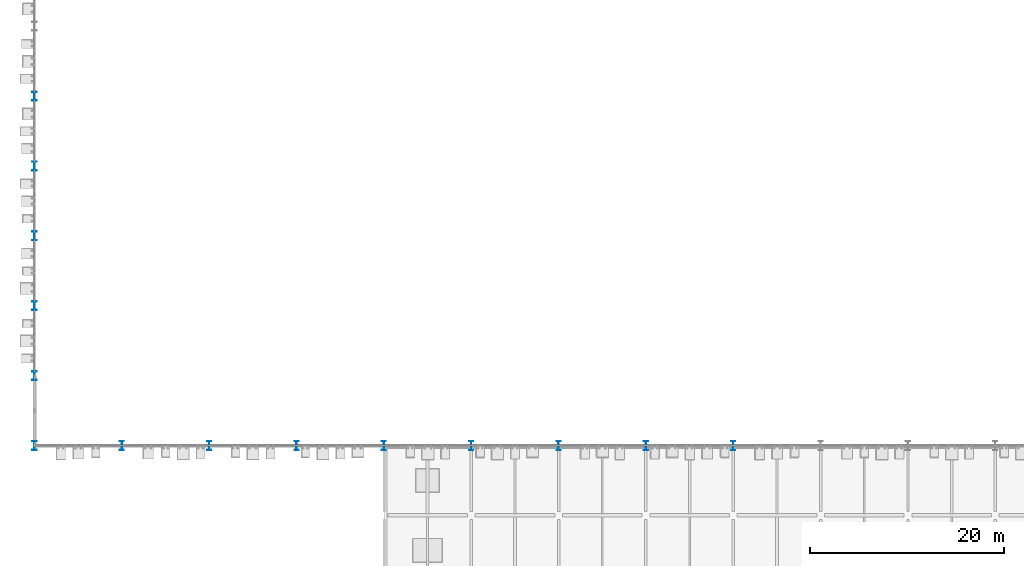
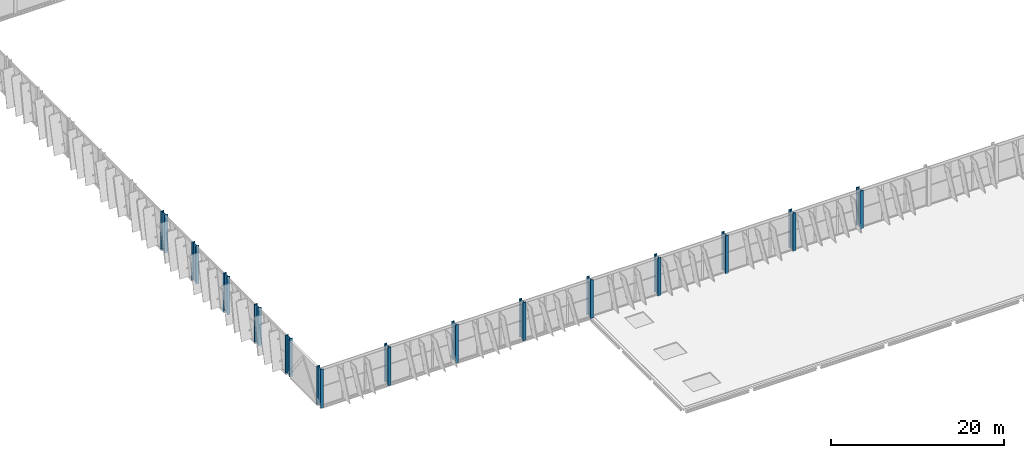
# One storey, part 1 of 189: 14 columns.
"""IFC4 building model written with IfcOpenShell, lengths in metres."""

import ifcopenshell
import ifcopenshell.guid

model = None  # the IFC model being written
_history = None  # IfcOwnerHistory: only IFC2X3 demands one
_inside = {}  # id of a spatial element -> (the spatial element, [elements in it])
_under = {}  # id of a project, library or spatial element -> (it, [spatial elements below it])
_declared = {}  # id of a project -> (the project, [libraries it declares])
_typed = {}  # id of a type object -> (the type object, [elements of that type])
_made_of = {}  # id of a material, layer set ... -> (it, [elements and type objects made of it])


def new_model(schema):
    """Start an empty IFC model of exactly this schema.

    Asked for "IFC4X3", IfcOpenShell would pick the latest addendum, in which some entities
    have other attributes; the version numbers below select the first issue.
    IFC2X3 requires an IfcOwnerHistory on every rooted entity: one is made here for all.
    """
    global model, _history
    if schema == "IFC4X3":
        model = ifcopenshell.file(schema_version=(4, 3, 0, 0))
    else:
        model = ifcopenshell.file(schema=schema)
    _inside.clear()
    _under.clear()
    _declared.clear()
    _typed.clear()
    _made_of.clear()
    _history = None
    if model.schema == "IFC2X3":
        org = make("IfcOrganization", Name="unknown")
        user = make(
            "IfcPersonAndOrganization",
            ThePerson=make("IfcPerson", FamilyName="unknown"),
            TheOrganization=org,
        )
        app = make(
            "IfcApplication",
            ApplicationDeveloper=org,
            Version="unknown",
            ApplicationFullName="unknown",
            ApplicationIdentifier="unknown",
        )
        _history = make(
            "IfcOwnerHistory",
            OwningUser=user,
            OwningApplication=app,
            ChangeAction="ADDED",
            CreationDate=0,
        )
    return model


def make(cls, **values):
    """One entity of the class cls with the attributes given. An attribute that is None is left unset."""
    return model.create_entity(
        cls, **{name: value for name, value in values.items() if value is not None}
    )


def rooted(cls, **values):
    """An entity with a GlobalId (a new one), such as an element, a storey or a relation."""
    return make(cls, GlobalId=ifcopenshell.guid.new(), OwnerHistory=_history, **values)


def si_unit(unit_type, name, prefix=None):
    """IfcSIUnit, for example si_unit("LENGTHUNIT", "METRE", prefix="MILLI")."""
    return make("IfcSIUnit", UnitType=unit_type, Prefix=prefix, Name=name)


def assignment(units):
    """IfcUnitAssignment: the units of a project."""
    return None if units is None else make("IfcUnitAssignment", Units=units)


def point(xyz):
    """IfcCartesianPoint."""
    return None if xyz is None else make("IfcCartesianPoint", Coordinates=xyz)


def direction(xyz):
    """IfcDirection."""
    return None if xyz is None else make("IfcDirection", DirectionRatios=xyz)


def frame(location, z_axis=None, x_axis=None):
    """IfcAxis2Placement3D, a coordinate frame: its origin and axes. An axis left out is left unset."""
    return make(
        "IfcAxis2Placement3D",
        Location=point(location),
        Axis=direction(z_axis),
        RefDirection=direction(x_axis),
    )


def frame_2d(location, x_axis=None):
    """IfcAxis2Placement2D, a coordinate frame in the plane: its origin and x axis."""
    return make(
        "IfcAxis2Placement2D", Location=point(location), RefDirection=direction(x_axis)
    )


def origin():
    """The frame at (0, 0, 0) with its axes left unset."""
    return frame((0.0, 0.0, 0.0))


def origin_2d():
    """The frame at (0, 0) in the plane with its x axis left unset."""
    return frame_2d((0.0, 0.0))


def place(relative_to, where):
    """IfcLocalPlacement: puts the frame where relative to a parent placement (None: the world)."""
    return make(
        "IfcLocalPlacement", PlacementRelTo=relative_to, RelativePlacement=where
    )


def context(
    kind, dimensions, precision=None, world=None, true_north=None, identifier=None
):
    """IfcGeometricRepresentationContext, for example the 3D "Model" context."""
    return make(
        "IfcGeometricRepresentationContext",
        ContextIdentifier=identifier,
        ContextType=kind,
        CoordinateSpaceDimension=dimensions,
        Precision=precision,
        WorldCoordinateSystem=world,
        TrueNorth=true_north,
    )


def subcontext(parent, identifier, kind, view, scale=None):
    """IfcGeometricRepresentationSubContext, for example "Body" below "Model"."""
    return make(
        "IfcGeometricRepresentationSubContext",
        ContextIdentifier=identifier,
        ContextType=kind,
        ParentContext=parent,
        TargetScale=scale,
        TargetView=view,
    )


def project(units=None, contexts=None):
    """IfcProject with its units and contexts."""
    return rooted(
        "IfcProject",
        Name="project",
        RepresentationContexts=contexts,
        UnitsInContext=assignment(units),
    )


def spatial(cls, under=None, at=None, **own):
    """A site, building, storey or space (cls), placed at a placement, below another one or the project."""
    s = rooted(cls, ObjectPlacement=at, **own)
    if under is not None:
        _under.setdefault(under.id(), (under, []))[1].append(s)
    return s


def profile(cls, at=None, kind="AREA", **sizes):
    """A parametric profile (cls). Its sizes go by their IFC names, for example OverallWidth=200.0."""
    return make(cls, ProfileType=kind, Position=at, **sizes)


def i_section(**sizes):
    """IfcIShapeProfileDef."""
    return profile("IfcIShapeProfileDef", **sizes)


def extrude(swept, where, along, depth):
    """IfcExtrudedAreaSolid: the profile swept, set in the frame where, extruded along a direction by depth."""
    return make(
        "IfcExtrudedAreaSolid",
        SweptArea=swept,
        Position=where,
        ExtrudedDirection=direction(along),
        Depth=depth,
    )


def shape(context_of_items, identifier, shape_type, items):
    """IfcShapeRepresentation: the items that make up one representation, for example the "Body"."""
    return make(
        "IfcShapeRepresentation",
        ContextOfItems=context_of_items,
        RepresentationIdentifier=identifier,
        RepresentationType=shape_type,
        Items=items,
    )


def material(Name=None, Category=None):
    """IfcMaterial."""
    return make("IfcMaterial", Name=Name, Category=Category)


def material_profile(
    of_material, cross_section, Name=None, Category=None, Priority=None
):
    """IfcMaterialProfile: a cross section and its material."""
    return make(
        "IfcMaterialProfile",
        Name=Name,
        Material=of_material,
        Profile=cross_section,
        Priority=Priority,
        Category=Category,
    )


def profile_set(profiles, Name=None, composite=None):
    """IfcMaterialProfileSet."""
    return make(
        "IfcMaterialProfileSet",
        Name=Name,
        MaterialProfiles=profiles,
        CompositeProfile=composite,
    )


def made_of(thing, what):
    """Note that an element or type object is made of a material, layer set ...; save() writes the relation."""
    if what is not None:
        _made_of.setdefault(what.id(), (what, []))[1].append(thing)
    return thing


def type_object(cls, material=None, **own):
    """A type object (cls), such as IfcWallType, which elements share."""
    return made_of(rooted(cls, **own), material)


def element(
    cls,
    number,
    at=None,
    inside=None,
    cuts=None,
    type_object=None,
    material=None,
    context=None,
    identifier="Body",
    shape_type=None,
    held_by="IfcProductDefinitionShape",
    body=None,
    shapes=None,
    **own,
):
    """One element of the class cls, such as IfcWall. Its Tag is "e" and its number.

    at: its placement. inside: the storey or other place that contains it. cuts: it is an
    opening in that element (IfcRelVoidsElement). A single representation is given by context,
    identifier, shape_type and body (its items); several are given by shapes. held_by: the class
    of the entity that holds the representations. save() writes the other relations.
    """
    e = rooted(cls, Tag="e%d" % number, ObjectPlacement=at, **own)
    if body is not None:
        shapes = [shape(context, identifier, shape_type, body)]
    if shapes is not None:
        e.Representation = make(held_by, Representations=shapes)
    if inside is not None:
        _inside.setdefault(inside.id(), (inside, []))[1].append(e)
    if cuts is not None:
        rooted(
            "IfcRelVoidsElement", RelatingBuildingElement=cuts, RelatedOpeningElement=e
        )
    if type_object is not None:
        _typed.setdefault(type_object.id(), (type_object, []))[1].append(e)
    return made_of(e, material)


def aggregate(whole, parts):
    """IfcRelAggregates: a whole, such as a stair, and the parts it consists of."""
    return rooted("IfcRelAggregates", RelatingObject=whole, RelatedObjects=parts)


def save(model, path):
    """Write the relations noted so far, then the file.

    IfcRelAggregates (storeys below a building ...), IfcRelContainedInSpatialStructure (elements
    in a storey), IfcRelDefinesByType, IfcRelAssociatesMaterial and IfcRelDeclares: one each for
    every whole, place, type object, material and project.
    """
    for whole, parts in _under.values():
        aggregate(whole, parts)
    for where, things in _inside.values():
        rooted(
            "IfcRelContainedInSpatialStructure",
            RelatedElements=things,
            RelatingStructure=where,
        )
    for kind, things in _typed.values():
        rooted("IfcRelDefinesByType", RelatedObjects=things, RelatingType=kind)
    for what, things in _made_of.values():
        rooted("IfcRelAssociatesMaterial", RelatedObjects=things, RelatingMaterial=what)
    for by, libraries in _declared.values():
        rooted("IfcRelDeclares", RelatingContext=by, RelatedDefinitions=libraries)
    model.write(path)


model = new_model("IFC4")

# Units and contexts
model_context = context("Model", 3, precision=1e-05, world=origin(), true_north=direction((0.0, 1.0)))
body_context = subcontext(model_context, "Body", "Model", "MODEL_VIEW")
ifc_project = project(units=[si_unit("LENGTHUNIT", "METRE"), si_unit("AREAUNIT", "SQUARE_METRE"), si_unit("VOLUMEUNIT", "CUBIC_METRE"), si_unit("PLANEANGLEUNIT", "RADIAN"), si_unit("MASSUNIT", "GRAM", prefix="KILO")], contexts=[model_context])

# Site, building, storey
site_placement = place(None, origin())
site = spatial("IfcSite", under=ifc_project, at=site_placement, CompositionType="ELEMENT")
building_placement = place(site_placement, origin())
building = spatial("IfcBuilding", under=site, at=building_placement, Name="Celestram Park Convention Centre", CompositionType="ELEMENT")
storey_placement = place(building_placement, frame((0.0, 0.0, 5.39990234375)))
storey = spatial("IfcBuildingStorey", under=building, at=storey_placement, Name="L01", CompositionType="ELEMENT", Elevation=5.39990234375)

# Columns
ifc_material = material(Name="Steel ASTM A992 Grade 50", Category="steel")
ifc_material_profile = material_profile(ifc_material, i_section(OverallWidth=0.424072265625, OverallDepth=0.931884765625, WebThickness=0.02392578125, FlangeThickness=0.042724609375, at=origin_2d()), Name="W36X302")
ifc_profile_set = profile_set([ifc_material_profile], Name="Steel ASTM A992 Grade 50")
column_type = type_object("IfcColumnType", Name="STR-COL-W36X302", PredefinedType="COLUMN", material=ifc_profile_set)
for number, where, z_axis, x_axis, name in (
    (1, (0.0, 21.60009765625, 0.0), (0.0, 0.0, 1.0), (1.0, 0.0, 0.0), "Column CN-L01-001"),
    (2, (0.0, 28.800048828125, 0.0), (0.0, 0.0, 1.0), (1.0, 0.0, 0.0), "Column CN-L01-002"),
    (3, (0.0, 36.0, 0.0), (0.0, 0.0, 1.0), (1.0, 0.0, 0.0), "Column CN-L01-003"),
    (4, (0.0, 43.199951171875, 0.0), (0.0, 0.0, 1.0), (1.0, 0.0, 0.0), "Column CN-L01-004"),
    (5, (0.0, 50.39990234375, 0.0), (0.0, 0.0, 1.0), (1.0, 0.0, 0.0), "Column CN-L01-005"),
    (6, (0.0, 57.60009765625, 0.0), (0.0, 0.0, 1.0), (1.0, 0.0, 0.0), "Column CN-L01-006"),
    (7, (9.0, 21.60009765625, 0.0), (0.0, 0.0, 1.0), (1.0, 0.0, 0.0), "Column CN-L01-018"),
    (8, (18.0, 21.60009765625, 0.0), (0.0, 0.0, 1.0), (1.0, 0.0, 0.0), "Column CN-L01-024"),
    (9, (27.0, 21.60009765625, 0.0), (0.0, 0.0, 1.0), (1.0, 0.0, 0.0), "Column CN-L01-030"),
    (10, (36.0, 21.60009765625, 0.0), (0.0, 0.0, 1.0), (1.0, 0.0, 0.0), "Column CN-L01-040"),
    (11, (45.0, 21.60009765625, 0.0), (0.0, 0.0, 1.0), (1.0, 0.0, 0.0), "Column CN-L01-050"),
    (12, (54.0, 21.60009765625, 0.0), (0.0, 0.0, 1.0), (1.0, 0.0, 0.0), "Column CN-L01-060"),
    (13, (63.0, 21.60009765625, 0.0), (0.0, 0.0, 1.0), (1.0, 0.0, 0.0), "Column CN-L01-069"),
    (14, (72.0, 21.60009765625, 0.0), (0.0, 0.0, 1.0), (1.0, 0.0, 0.0), "Column CN-L01-078"),
):
    element("IfcColumn", number, at=place(storey_placement, frame(where, z_axis=z_axis, x_axis=x_axis)), inside=storey, type_object=column_type, Name=name, PredefinedType="COLUMN", context=body_context, shape_type="SweptSolid", body=[
        extrude(i_section(OverallWidth=0.424072265625, OverallDepth=0.931884765625, WebThickness=0.02392578125, FlangeThickness=0.042724609375, at=origin_2d()), origin(), (0.0, 0.0, 1.0), 5.400146484375),
    ])

save(model, "model.ifc")
